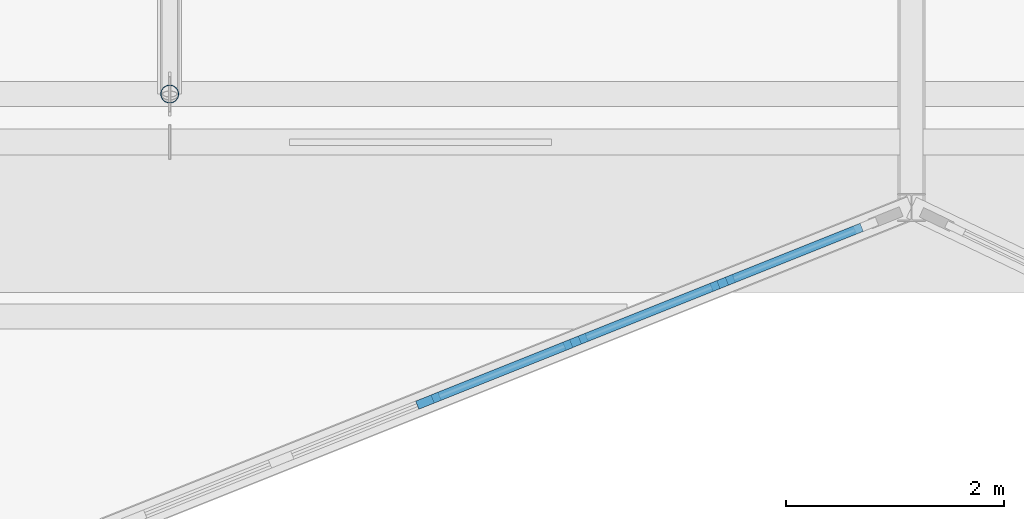
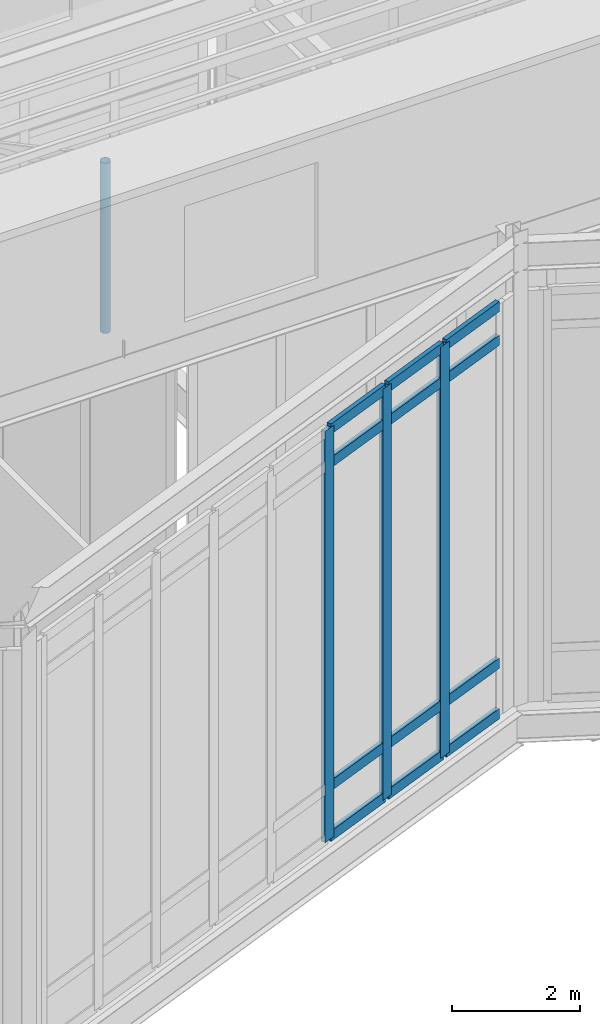
# One storey, part 13 of 66: 16 members, 1 element without a shape of its own.
"""IFC4 building model written with IfcOpenShell, lengths in metres."""

from ifc_helpers import new_model, si_unit, direction, frame, origin, origin_2d, place, context, subcontext, project, spatial, rectangle, hollow_circle, extrude, material, material_profile, profile_set, type_object, element, aggregate, save


model = new_model("IFC4")

# Units and contexts
model_context = context("Model", 3, precision=1e-05, world=origin(), true_north=direction((0.0, 1.0)))
body_context = subcontext(model_context, "Body", "Model", "MODEL_VIEW")
ifc_project = project(units=[si_unit("LENGTHUNIT", "METRE"), si_unit("AREAUNIT", "SQUARE_METRE"), si_unit("VOLUMEUNIT", "CUBIC_METRE"), si_unit("PLANEANGLEUNIT", "RADIAN"), si_unit("MASSUNIT", "GRAM", prefix="KILO")], contexts=[model_context])

# Site, building, storey
site_placement = place(None, origin())
site = spatial("IfcSite", under=ifc_project, at=site_placement, CompositionType="ELEMENT")
building_placement = place(site_placement, origin())
building = spatial("IfcBuilding", under=site, at=building_placement, Name="Tameran Prism Museum", CompositionType="ELEMENT")
storey_placement = place(building_placement, frame((0.0, 0.0, 19.800048828125)))
storey = spatial("IfcBuildingStorey", under=building, at=storey_placement, Name="L04", CompositionType="ELEMENT", Elevation=19.800048828125)

# Curtain wall, members
ifc_material_1 = material(Name="Anodised Aluminium 6063-T6 and Cyclone Solar Glass", Category="aluminium")
curtain_wall_type = type_object("IfcCurtainWallType", Name="CW-FAC-1163x782", PredefinedType="USERDEFINED", material=ifc_material_1)
curtain_wall_placement = place(storey_placement, origin())
curtain_wall = element("IfcCurtainWall", 1, at=curtain_wall_placement, inside=storey, type_object=curtain_wall_type, Name="Unitised Curtain Wall CW-158", ObjectType="UNITISED CURTAIN WALL", PredefinedType="USERDEFINED")
ifc_material_2 = material(Name="Anodised Aluminium Alloy 6063-T6", Category="aluminium")
ifc_material_profile_1 = material_profile(ifc_material_2, rectangle(XDim=0.080078125, YDim=0.219970703125, at=origin_2d()))
ifc_profile_set_1 = profile_set([ifc_material_profile_1])
member_type_1 = type_object("IfcMemberType", Name="CW-MUL-D", PredefinedType="MULLION", material=ifc_profile_set_1)
member_1_placement = place(storey_placement, frame((75.769775390625, 26.708251953125, 0.0), z_axis=(0.0, 0.0, 1.0), x_axis=(0.371420337114, -0.928464826032, 0.0)))
member_1 = element("IfcMember", 2, at=member_1_placement, type_object=member_type_1, Name="CW-158 mullion 2", PredefinedType="MULLION", context=body_context, shape_type="SweptSolid", body=[
    extrude(rectangle(XDim=0.080078125, YDim=0.219970703125, at=origin_2d()), origin(), (0.0, 0.0, 1.0), 7.820068359375),
])
member_2_placement = place(storey_placement, frame((74.42041015625, 26.16845703125, 0.0), z_axis=(0.0, 0.0, 1.0), x_axis=(0.371420337114, -0.928464826032, 0.0)))
member_2 = element("IfcMember", 3, at=member_2_placement, type_object=member_type_1, Name="CW-158 mullion 3", PredefinedType="MULLION", context=body_context, shape_type="SweptSolid", body=[
    extrude(rectangle(XDim=0.080078125, YDim=0.219970703125, at=origin_2d()), origin(), (0.0, 0.0, 1.0), 7.820068359375),
])
member_3_placement = place(storey_placement, frame((73.0712890625, 25.628662109375, 0.0), z_axis=(0.0, 0.0, 1.0), x_axis=(0.371420337114, -0.928464826032, 0.0)))
member_3 = element("IfcMember", 4, at=member_3_placement, type_object=member_type_1, Name="CW-158 mullion 4", PredefinedType="MULLION", context=body_context, shape_type="SweptSolid", body=[
    extrude(rectangle(XDim=0.080078125, YDim=0.219970703125, at=origin_2d()), origin(), (0.0, 0.0, 1.0), 7.820068359375),
])
ifc_material_3 = material(Name="Anodised Aluminium Alloy 6063-T6", Category="aluminium")
ifc_material_profile_2 = material_profile(ifc_material_3, rectangle(XDim=0.080078125, YDim=0.195068359375, at=origin_2d()))
ifc_profile_set_2 = profile_set([ifc_material_profile_2])
member_type_2 = type_object("IfcMemberType", Name="CW-TRN-D", PredefinedType="USERDEFINED", material=ifc_profile_set_2)
member_4_placement = place(storey_placement, frame((77.044677734375, 27.21826171875, 0.0400390625), z_axis=(-0.928476690885, -0.371390676354, 0.0), x_axis=(0.371390676354, -0.928476690885, 0.0)))
member_4 = element("IfcMember", 5, at=member_4_placement, type_object=member_type_2, Name="CW-158 transom 1.1", ObjectType="TRANSOM", PredefinedType="USERDEFINED", context=body_context, shape_type="SweptSolid", body=[
    extrude(rectangle(XDim=0.080078125, YDim=0.195068359375, at=origin_2d()), origin(), (0.0, 0.0, 1.0), 1.333251953125),
])
member_5_placement = place(storey_placement, frame((77.044677734375, 27.21826171875, 1.0), z_axis=(-0.928476690885, -0.371390676354, 0.0), x_axis=(0.371390676354, -0.928476690885, 0.0)))
member_5 = element("IfcMember", 6, at=member_5_placement, type_object=member_type_2, Name="CW-158 transom 1.2", ObjectType="TRANSOM", PredefinedType="USERDEFINED", context=body_context, shape_type="SweptSolid", body=[
    extrude(rectangle(XDim=0.080078125, YDim=0.195068359375, at=origin_2d()), origin(), (0.0, 0.0, 1.0), 1.333251953125),
])
member_6_placement = place(storey_placement, frame((77.044677734375, 27.21826171875, 7.139892578125), z_axis=(-0.928476690885, -0.371390676354, 0.0), x_axis=(0.371390676354, -0.928476690885, 0.0)))
member_6 = element("IfcMember", 7, at=member_6_placement, type_object=member_type_2, Name="CW-158 transom 1.3", ObjectType="TRANSOM", PredefinedType="USERDEFINED", context=body_context, shape_type="SweptSolid", body=[
    extrude(rectangle(XDim=0.080078125, YDim=0.195068359375, at=origin_2d()), origin(), (0.0, 0.0, 1.0), 1.333251953125),
])
member_7_placement = place(storey_placement, frame((77.044677734375, 27.21826171875, 7.780029296875), z_axis=(-0.928476690885, -0.371390676354, 0.0), x_axis=(0.371390676354, -0.928476690885, 0.0)))
member_7 = element("IfcMember", 8, at=member_7_placement, type_object=member_type_2, Name="CW-158 transom 1.4", ObjectType="TRANSOM", PredefinedType="USERDEFINED", context=body_context, shape_type="SweptSolid", body=[
    extrude(rectangle(XDim=0.080078125, YDim=0.195068359375, at=origin_2d()), origin(), (0.0, 0.0, 1.0), 1.333251953125),
])
member_8_placement = place(storey_placement, frame((75.732666015625, 26.693359375, 0.0400390625), z_axis=(-0.92848895033, -0.371360026276, 0.0), x_axis=(0.371360026276, -0.92848895033, 0.0)))
member_8 = element("IfcMember", 9, at=member_8_placement, type_object=member_type_2, Name="CW-158 transom 2.1", ObjectType="TRANSOM", PredefinedType="USERDEFINED", context=body_context, shape_type="SweptSolid", body=[
    extrude(rectangle(XDim=0.080078125, YDim=0.195068359375, at=origin_2d()), origin(), (0.0, 0.0, 1.0), 1.373291015625),
])
member_9_placement = place(storey_placement, frame((75.732666015625, 26.693359375, 1.0), z_axis=(-0.92848895033, -0.371360026276, 0.0), x_axis=(0.371360026276, -0.92848895033, 0.0)))
member_9 = element("IfcMember", 10, at=member_9_placement, type_object=member_type_2, Name="CW-158 transom 2.2", ObjectType="TRANSOM", PredefinedType="USERDEFINED", context=body_context, shape_type="SweptSolid", body=[
    extrude(rectangle(XDim=0.080078125, YDim=0.195068359375, at=origin_2d()), origin(), (0.0, 0.0, 1.0), 1.373291015625),
])
member_10_placement = place(storey_placement, frame((75.732666015625, 26.693359375, 7.139892578125), z_axis=(-0.92848895033, -0.371360026276, 0.0), x_axis=(0.371360026276, -0.92848895033, 0.0)))
member_10 = element("IfcMember", 11, at=member_10_placement, type_object=member_type_2, Name="CW-158 transom 2.3", ObjectType="TRANSOM", PredefinedType="USERDEFINED", context=body_context, shape_type="SweptSolid", body=[
    extrude(rectangle(XDim=0.080078125, YDim=0.195068359375, at=origin_2d()), origin(), (0.0, 0.0, 1.0), 1.373291015625),
])
member_11_placement = place(storey_placement, frame((75.732666015625, 26.693359375, 7.780029296875), z_axis=(-0.92848895033, -0.371360026276, 0.0), x_axis=(0.371360026276, -0.92848895033, 0.0)))
member_11 = element("IfcMember", 12, at=member_11_placement, type_object=member_type_2, Name="CW-158 transom 2.4", ObjectType="TRANSOM", PredefinedType="USERDEFINED", context=body_context, shape_type="SweptSolid", body=[
    extrude(rectangle(XDim=0.080078125, YDim=0.195068359375, at=origin_2d()), origin(), (0.0, 0.0, 1.0), 1.373291015625),
])
member_12_placement = place(storey_placement, frame((74.38330078125, 26.153564453125, 0.0400390625), z_axis=(-0.928464428405, -0.371421331087, 0.0), x_axis=(0.371421331087, -0.928464428405, 0.0)))
member_12 = element("IfcMember", 13, at=member_12_placement, type_object=member_type_2, Name="CW-158 transom 3.1", ObjectType="TRANSOM", PredefinedType="USERDEFINED", context=body_context, shape_type="SweptSolid", body=[
    extrude(rectangle(XDim=0.080078125, YDim=0.195068359375, at=origin_2d()), origin(), (0.0, 0.0, 1.0), 1.373046875),
])
member_13_placement = place(storey_placement, frame((74.38330078125, 26.153564453125, 1.0), z_axis=(-0.928464428405, -0.371421331087, 0.0), x_axis=(0.371421331087, -0.928464428405, 0.0)))
member_13 = element("IfcMember", 14, at=member_13_placement, type_object=member_type_2, Name="CW-158 transom 3.2", ObjectType="TRANSOM", PredefinedType="USERDEFINED", context=body_context, shape_type="SweptSolid", body=[
    extrude(rectangle(XDim=0.080078125, YDim=0.195068359375, at=origin_2d()), origin(), (0.0, 0.0, 1.0), 1.373046875),
])
member_14_placement = place(storey_placement, frame((74.38330078125, 26.153564453125, 7.139892578125), z_axis=(-0.928464428405, -0.371421331087, 0.0), x_axis=(0.371421331087, -0.928464428405, 0.0)))
member_14 = element("IfcMember", 15, at=member_14_placement, type_object=member_type_2, Name="CW-158 transom 3.3", ObjectType="TRANSOM", PredefinedType="USERDEFINED", context=body_context, shape_type="SweptSolid", body=[
    extrude(rectangle(XDim=0.080078125, YDim=0.195068359375, at=origin_2d()), origin(), (0.0, 0.0, 1.0), 1.373046875),
])
member_15_placement = place(storey_placement, frame((74.38330078125, 26.153564453125, 7.780029296875), z_axis=(-0.928464428405, -0.371421331087, 0.0), x_axis=(0.371421331087, -0.928464428405, 0.0)))
member_15 = element("IfcMember", 16, at=member_15_placement, type_object=member_type_2, Name="CW-158 transom 3.4", ObjectType="TRANSOM", PredefinedType="USERDEFINED", context=body_context, shape_type="SweptSolid", body=[
    extrude(rectangle(XDim=0.080078125, YDim=0.195068359375, at=origin_2d()), origin(), (0.0, 0.0, 1.0), 1.373046875),
])
aggregate(curtain_wall, [member_1, member_2, member_3, member_4, member_5, member_6, member_7, member_8, member_9, member_10, member_11, member_12, member_13, member_14, member_15])

# Member
ifc_material_4 = material(Name="Steel Grade C350L0 (350 MPa)", Category="steel")
ifc_material_profile_3 = material_profile(ifc_material_4, hollow_circle(Radius=0.084228515625, WallThickness=0.007080078125, at=origin_2d()))
ifc_profile_set_3 = profile_set([ifc_material_profile_3])
member_type_3 = type_object("IfcMemberType", Name="MM-BR-CHS168", PredefinedType="BRACE", material=ifc_profile_set_3)
member_16_placement = place(storey_placement, frame((70.699951171875, 28.43994140625, 8.785888671875), z_axis=(0.0, 0.0, 1.0), x_axis=(1.0, 0.0, 0.0)))
element("IfcMember", 17, at=member_16_placement, inside=storey, type_object=member_type_3, Name="Sawtooth Brace STM-0171", PredefinedType="BRACE", context=body_context, shape_type="SweptSolid", body=[
    extrude(hollow_circle(Radius=0.084228515625, WallThickness=0.007080078125, at=origin_2d()), origin(), (0.0, 0.0, 1.0), 3.238037109375),
])

save(model, "model.ifc")
